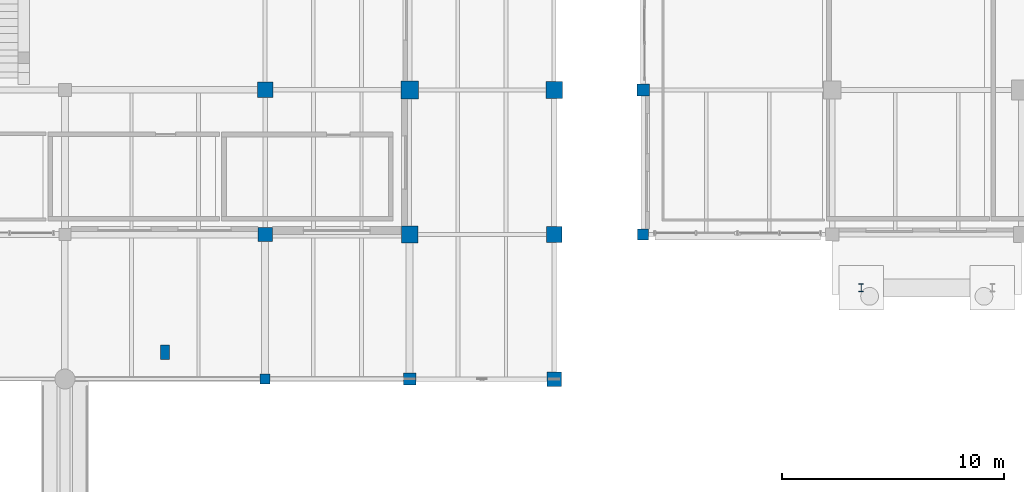
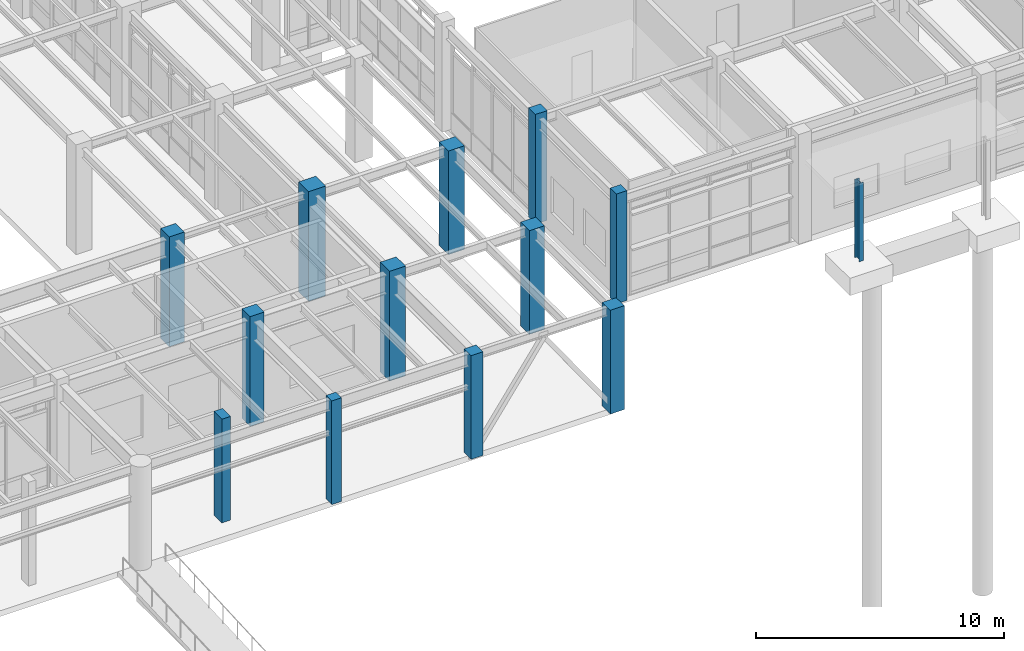
# One storey, part 17 of 203: 13 columns.
"""IFC4 building model written with IfcOpenShell, lengths in metres."""

from ifc_helpers import new_model, si_unit, direction, frame, origin, origin_2d, place, context, subcontext, project, spatial, rectangle, i_section, extrude, material, material_profile, profile_set, type_object, element, save


model = new_model("IFC4")

# Units and contexts
model_context = context("Model", 3, precision=1e-05, world=origin(), true_north=direction((0.0, 1.0)))
body_context = subcontext(model_context, "Body", "Model", "MODEL_VIEW")
ifc_project = project(units=[si_unit("LENGTHUNIT", "METRE"), si_unit("AREAUNIT", "SQUARE_METRE"), si_unit("VOLUMEUNIT", "CUBIC_METRE"), si_unit("PLANEANGLEUNIT", "RADIAN"), si_unit("MASSUNIT", "GRAM", prefix="KILO"), si_unit("THERMODYNAMICTEMPERATUREUNIT", "KELVIN"), si_unit("POWERUNIT", "WATT")], contexts=[model_context])

# Site, building, storey
site_placement = place(None, origin())
site = spatial("IfcSite", under=ifc_project, at=site_placement, CompositionType="ELEMENT")
building_placement = place(site_placement, origin())
building = spatial("IfcBuilding", under=site, at=building_placement, Name="Tepalcoro Natatorium and Aquatics Centre", CompositionType="ELEMENT")
storey_placement = place(building_placement, origin())
storey = spatial("IfcBuildingStorey", under=building, at=storey_placement, Name="L00", CompositionType="ELEMENT", Elevation=0.0)

# Columns
ifc_material_1 = material(Name="Steel ASTM A992 Grade 50 (Fy 345 MPa)", Category="steel")
ifc_material_profile_1 = material_profile(ifc_material_1, i_section(OverallWidth=0.205078125, OverallDepth=0.35302734375, WebThickness=0.009033203125, FlangeThickness=0.01708984375, FilletRadius=0.013916015625, at=origin_2d()), Name="W14X53")
ifc_profile_set_1 = profile_set([ifc_material_profile_1], Name="Steel ASTM A992 Grade 50 (Fy 345 MPa)")
column_type_1 = type_object("IfcColumnType", Name="COL_CHS324x16", PredefinedType="COLUMN", material=ifc_profile_set_1)
column_1_placement = place(storey_placement, frame((151.800048828125, 4.10009765625, 0.0), z_axis=(0.0, 0.0, 1.0), x_axis=(1.0, 0.0, 0.0)))
element("IfcColumn", 1, at=column_1_placement, inside=storey, type_object=column_type_1, Name="Canopy Support Post CN_V2_S1-1", PredefinedType="COLUMN", context=body_context, shape_type="SweptSolid", body=[
    extrude(i_section(OverallWidth=0.205078125, OverallDepth=0.35302734375, WebThickness=0.009033203125, FlangeThickness=0.01708984375, FilletRadius=0.013916015625, at=origin_2d()), origin(), (0.0, 0.0, 1.0), 3.85009765625),
])
ifc_material_2 = material(Name="Concrete C40/50 (fc 40 MPa)", Category="concrete")
ifc_material_profile_2 = material_profile(ifc_material_2, rectangle(XDim=0.449951171875, YDim=0.449951171875, at=origin_2d()), Name="RC450x450")
ifc_profile_set_2 = profile_set([ifc_material_profile_2], Name="Concrete C40/50 (fc 40 MPa)")
column_type_2 = type_object("IfcColumnType", Name="COL_RC_450x450", PredefinedType="COLUMN", material=ifc_profile_set_2)
column_2_placement = place(storey_placement, frame((125.0, 0.0, 0.0), z_axis=(0.0, 0.0, 1.0), x_axis=(1.0, 0.0, 0.0)))
element("IfcColumn", 2, at=column_2_placement, inside=storey, type_object=column_type_2, Name="V1 L00 Grid Column (125.0, 0.0)", PredefinedType="COLUMN", context=body_context, shape_type="SweptSolid", body=[
    extrude(rectangle(XDim=0.449951171875, YDim=0.449951171875, at=origin_2d()), origin(), (0.0, 0.0, 1.0), 5.10009765625),
])
ifc_material_profile_3 = material_profile(ifc_material_2, rectangle(XDim=0.5, YDim=0.5, at=origin_2d()), Name="RC500x500")
ifc_profile_set_3 = profile_set([ifc_material_profile_3], Name="Concrete C40/50 (fc 40 MPa)")
column_type_3 = type_object("IfcColumnType", Name="COL_RC_500x500", PredefinedType="COLUMN", material=ifc_profile_set_3)
column_3_placement = place(storey_placement, frame((142.0, 6.5, 0.0), z_axis=(0.0, 0.0, 1.0), x_axis=(1.0, 0.0, 0.0)))
element("IfcColumn", 3, at=column_3_placement, inside=storey, type_object=column_type_3, Name="V2 L00 Grid Column (142.0, 6.5)", PredefinedType="COLUMN", context=body_context, shape_type="SweptSolid", body=[
    extrude(rectangle(XDim=0.5, YDim=0.5, at=origin_2d()), origin(), (0.0, 0.0, 1.0), 5.39990234375),
])
ifc_material_profile_4 = material_profile(ifc_material_2, rectangle(XDim=0.550048828125, YDim=0.550048828125, at=origin_2d()), Name="RC550x550")
ifc_profile_set_4 = profile_set([ifc_material_profile_4], Name="Concrete C40/50 (fc 40 MPa)")
column_type_4 = type_object("IfcColumnType", Name="COL_RC_550x550", PredefinedType="COLUMN", material=ifc_profile_set_4)
column_4_placement = place(storey_placement, frame((131.5, 0.0, 0.0), z_axis=(0.0, 0.0, 1.0), x_axis=(1.0, 0.0, 0.0)))
element("IfcColumn", 4, at=column_4_placement, inside=storey, type_object=column_type_4, Name="V1 L00 Grid Column (131.5, 0.0)", PredefinedType="COLUMN", context=body_context, shape_type="SweptSolid", body=[
    extrude(rectangle(XDim=0.550048828125, YDim=0.550048828125, at=origin_2d()), origin(), (0.0, 0.0, 1.0), 5.10009765625),
])
column_5_placement = place(storey_placement, frame((142.0, 13.0, 0.0), z_axis=(0.0, 0.0, 1.0), x_axis=(1.0, 0.0, 0.0)))
element("IfcColumn", 5, at=column_5_placement, inside=storey, type_object=column_type_4, Name="V2 L00 Grid Column (142.0, 13.0)", PredefinedType="COLUMN", context=body_context, shape_type="SweptSolid", body=[
    extrude(rectangle(XDim=0.550048828125, YDim=0.550048828125, at=origin_2d()), origin(), (0.0, 0.0, 1.0), 5.39990234375),
])
ifc_material_profile_5 = material_profile(ifc_material_2, rectangle(XDim=0.64990234375, YDim=0.64990234375, at=origin_2d()), Name="RC650x650")
ifc_profile_set_5 = profile_set([ifc_material_profile_5], Name="Concrete C40/50 (fc 40 MPa)")
column_type_5 = type_object("IfcColumnType", Name="COL_RC_650x650", PredefinedType="COLUMN", material=ifc_profile_set_5)
column_6_placement = place(storey_placement, frame((125.0, 6.5, 0.0), z_axis=(0.0, 0.0, 1.0), x_axis=(1.0, 0.0, 0.0)))
element("IfcColumn", 6, at=column_6_placement, inside=storey, type_object=column_type_5, Name="V1 L00 Grid Column (125.0, 6.5)", PredefinedType="COLUMN", context=body_context, shape_type="SweptSolid", body=[
    extrude(rectangle(XDim=0.64990234375, YDim=0.64990234375, at=origin_2d()), origin(), (0.0, 0.0, 1.0), 5.39990234375),
])
column_7_placement = place(storey_placement, frame((138.0, 0.0, 0.0), z_axis=(0.0, 0.0, 1.0), x_axis=(1.0, 0.0, 0.0)))
element("IfcColumn", 7, at=column_7_placement, inside=storey, type_object=column_type_5, Name="V1 L00 Grid Column (138.0, 0.0)", PredefinedType="COLUMN", context=body_context, shape_type="SweptSolid", body=[
    extrude(rectangle(XDim=0.64990234375, YDim=0.64990234375, at=origin_2d()), origin(), (0.0, 0.0, 1.0), 5.10009765625),
])
ifc_material_profile_6 = material_profile(ifc_material_2, rectangle(XDim=0.699951171875, YDim=0.699951171875, at=origin_2d()), Name="RC700x700")
ifc_profile_set_6 = profile_set([ifc_material_profile_6], Name="Concrete C40/50 (fc 40 MPa)")
column_type_6 = type_object("IfcColumnType", Name="COL_RC_700x700", PredefinedType="COLUMN", material=ifc_profile_set_6)
column_8_placement = place(storey_placement, frame((125.0, 13.0, 0.0), z_axis=(0.0, 0.0, 1.0), x_axis=(1.0, 0.0, 0.0)))
element("IfcColumn", 8, at=column_8_placement, inside=storey, type_object=column_type_6, Name="V1 L00 Grid Column (125.0, 13.0)", PredefinedType="COLUMN", context=body_context, shape_type="SweptSolid", body=[
    extrude(rectangle(XDim=0.699951171875, YDim=0.699951171875, at=origin_2d()), origin(), (0.0, 0.0, 1.0), 5.39990234375),
])
column_9_placement = place(storey_placement, frame((138.0, 6.5, 0.0), z_axis=(0.0, 0.0, 1.0), x_axis=(1.0, 0.0, 0.0)))
element("IfcColumn", 9, at=column_9_placement, inside=storey, type_object=column_type_6, Name="V1 L00 Grid Column (138.0, 6.5)", PredefinedType="COLUMN", context=body_context, shape_type="SweptSolid", body=[
    extrude(rectangle(XDim=0.699951171875, YDim=0.699951171875, at=origin_2d()), origin(), (0.0, 0.0, 1.0), 5.10009765625),
])
ifc_material_profile_7 = material_profile(ifc_material_2, rectangle(XDim=0.75, YDim=0.75, at=origin_2d()), Name="RC750x750")
ifc_profile_set_7 = profile_set([ifc_material_profile_7], Name="Concrete C40/50 (fc 40 MPa)")
column_type_7 = type_object("IfcColumnType", Name="COL_RC_750x750", PredefinedType="COLUMN", material=ifc_profile_set_7)
column_10_placement = place(storey_placement, frame((131.5, 6.5, 0.0), z_axis=(0.0, 0.0, 1.0), x_axis=(1.0, 0.0, 0.0)))
element("IfcColumn", 10, at=column_10_placement, inside=storey, type_object=column_type_7, Name="V1 L00 Grid Column (131.5, 6.5)", PredefinedType="COLUMN", context=body_context, shape_type="SweptSolid", body=[
    extrude(rectangle(XDim=0.75, YDim=0.75, at=origin_2d()), origin(), (0.0, 0.0, 1.0), 5.39990234375),
])
column_11_placement = place(storey_placement, frame((138.0, 13.0, 0.0), z_axis=(0.0, 0.0, 1.0), x_axis=(1.0, 0.0, 0.0)))
element("IfcColumn", 11, at=column_11_placement, inside=storey, type_object=column_type_7, Name="V1 L00 Grid Column (138.0, 13.0)", PredefinedType="COLUMN", context=body_context, shape_type="SweptSolid", body=[
    extrude(rectangle(XDim=0.75, YDim=0.75, at=origin_2d()), origin(), (0.0, 0.0, 1.0), 5.10009765625),
])
ifc_material_profile_8 = material_profile(ifc_material_2, rectangle(XDim=0.800048828125, YDim=0.800048828125, at=origin_2d()), Name="RC800x800")
ifc_profile_set_8 = profile_set([ifc_material_profile_8], Name="Concrete C40/50 (fc 40 MPa)")
column_type_8 = type_object("IfcColumnType", Name="COL_RC_800x800", PredefinedType="COLUMN", material=ifc_profile_set_8)
column_12_placement = place(storey_placement, frame((131.5, 13.0, 0.0), z_axis=(0.0, 0.0, 1.0), x_axis=(1.0, 0.0, 0.0)))
element("IfcColumn", 12, at=column_12_placement, inside=storey, type_object=column_type_8, Name="V1 L00 Grid Column (131.5, 13.0)", PredefinedType="COLUMN", context=body_context, shape_type="SweptSolid", body=[
    extrude(rectangle(XDim=0.800048828125, YDim=0.800048828125, at=origin_2d()), origin(), (0.0, 0.0, 1.0), 5.39990234375),
])
ifc_material_profile_9 = material_profile(ifc_material_2, rectangle(XDim=0.39990234375, YDim=0.64990234375, at=origin_2d()), Name="PIL400x650")
ifc_profile_set_9 = profile_set([ifc_material_profile_9], Name="Concrete C40/50 (fc 40 MPa)")
column_type_9 = type_object("IfcColumnType", Name="PIL_RC_400x650", PredefinedType="PILASTER", material=ifc_profile_set_9)
column_13_placement = place(storey_placement, frame((120.5, 1.199951171875, 0.0), z_axis=(0.0, 0.0, 1.0), x_axis=(1.0, 0.0, 0.0)))
element("IfcColumn", 13, at=column_13_placement, inside=storey, type_object=column_type_9, Name="V1 South Plinth Stone Pilaster", PredefinedType="PILASTER", context=body_context, shape_type="SweptSolid", body=[
    extrude(rectangle(XDim=0.39990234375, YDim=0.64990234375, at=origin_2d()), origin(), (0.0, 0.0, 1.0), 5.10009765625),
])

save(model, "model.ifc")
